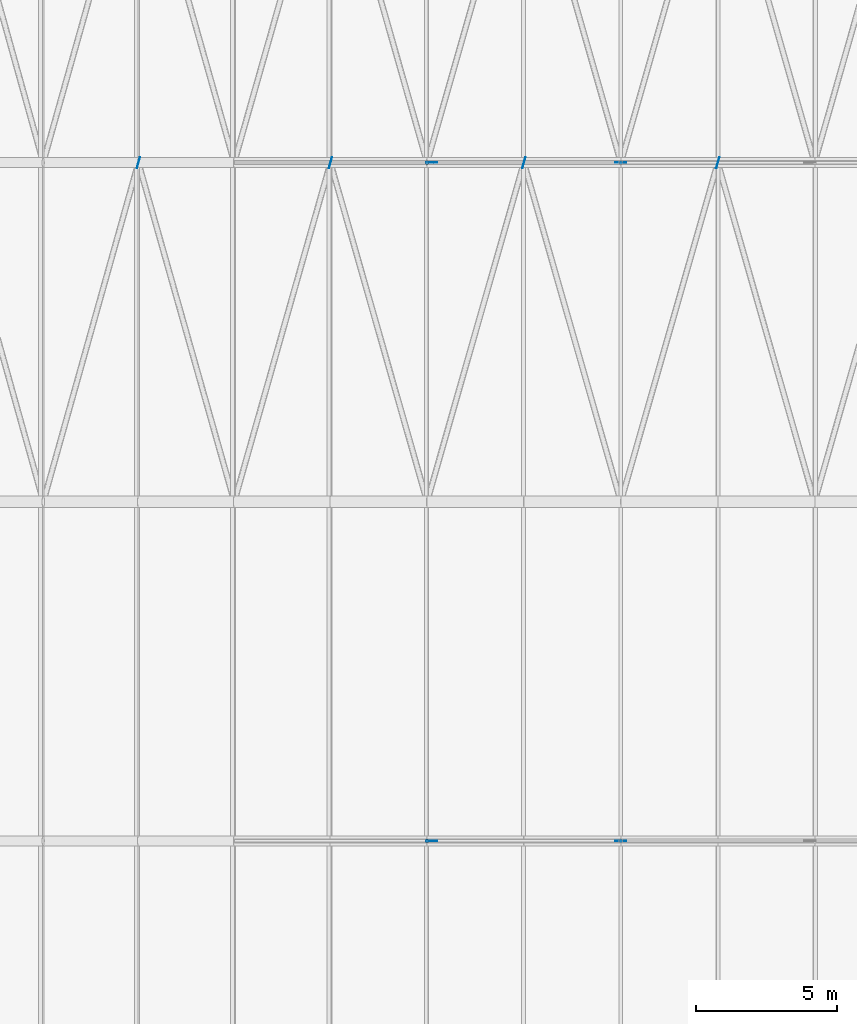
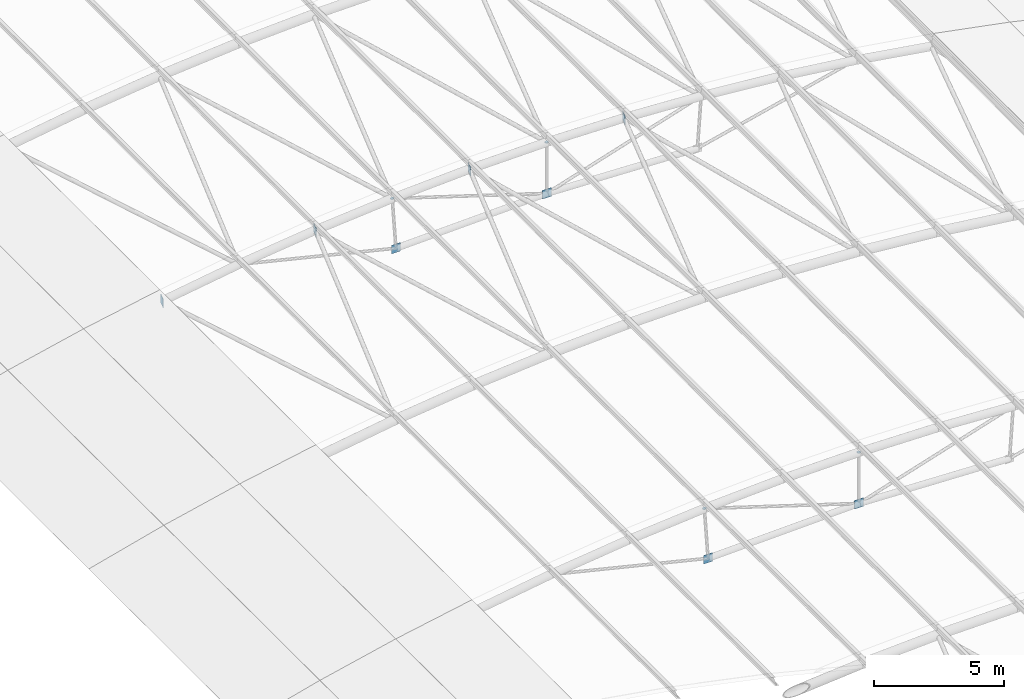
# One storey, part 68 of 91: 12 discrete accessories.
"""IFC4 building model written with IfcOpenShell, lengths in metres."""

from ifc_helpers import new_model, si_unit, direction, frame, origin, origin_2d, place, context, subcontext, project, spatial, rectangle, circle, extrude, material, material_profile, profile_set, type_object, element, save


model = new_model("IFC4")

# Units and contexts
model_context = context("Model", 3, precision=1e-05, world=origin(), true_north=direction((0.0, 1.0)))
body_context = subcontext(model_context, "Body", "Model", "MODEL_VIEW")
ifc_project = project(units=[si_unit("LENGTHUNIT", "METRE"), si_unit("AREAUNIT", "SQUARE_METRE"), si_unit("VOLUMEUNIT", "CUBIC_METRE"), si_unit("PLANEANGLEUNIT", "RADIAN"), si_unit("MASSUNIT", "GRAM", prefix="KILO")], contexts=[model_context])

# Site, building, storey
site_placement = place(None, origin())
site = spatial("IfcSite", under=ifc_project, at=site_placement, CompositionType="ELEMENT")
building_placement = place(site_placement, origin())
building = spatial("IfcBuilding", under=site, at=building_placement, Name="Ravi Spectrum Wholesale Market", CompositionType="ELEMENT")
storey_placement = place(building_placement, frame((0.0, 0.0, 16.199951171875)))
storey = spatial("IfcBuildingStorey", under=building, at=storey_placement, Name="ROOF PLANT LEVEL", CompositionType="ELEMENT", Elevation=16.199951171875)

# Discrete accessories
ifc_material_1 = material(Name="Steel S355", Category="steel")
ifc_material_profile_1 = material_profile(ifc_material_1, circle(Radius=0.06982421875, at=origin_2d()))
ifc_profile_set_1 = profile_set([ifc_material_profile_1], Name="Steel S355")
discrete_accessory_type_1 = type_object("IfcDiscreteAccessoryType", Name="End plate CHS 139.7x5", PredefinedType="BRACKET", material=ifc_profile_set_1)
for number, where, z_axis, x_axis, name in (
    (1, (63.142822265625, 90.0, 2.788818359375), (-0.081362009455, 0.0, 0.996684615823), (0.0, -1.0, 0.0), "End plate"),
    (2, (70.0, 90.0, 3.025390625), (0.0, 0.0, 1.0), (1.0, 0.0, 0.0), "End plate"),
    (3, (63.142822265625, 114.0, 2.788818359375), (-0.081362009455, 0.0, 0.996684615823), (0.0, -1.0, 0.0), "End plate"),
    (4, (70.0, 114.0, 3.025390625), (0.0, 0.0, 1.0), (1.0, 0.0, 0.0), "End plate"),
):
    element("IfcDiscreteAccessory", number, at=place(storey_placement, frame(where, z_axis=z_axis, x_axis=x_axis)), inside=storey, type_object=discrete_accessory_type_1, Name=name, PredefinedType="BRACKET", context=body_context, shape_type="SweptSolid", body=[
        extrude(circle(Radius=0.06982421875, at=origin_2d()), origin(), (0.0, 0.0, 1.0), 0.011962890625),
    ])
ifc_material_2 = material(Name="Steel S355", Category="steel")
ifc_material_profile_2 = material_profile(ifc_material_2, rectangle(XDim=0.39990234375, YDim=0.02001953125, at=origin_2d()))
ifc_profile_set_2 = profile_set([ifc_material_profile_2], Name="Steel S355")
discrete_accessory_type_2 = type_object("IfcDiscreteAccessoryType", Name="Gusset plate 400x400x20", PredefinedType="BRACKET", material=ifc_profile_set_2)
discrete_accessory_placement = place(storey_placement, frame((52.92822265625, 114.0, 1.349365234375), z_axis=(0.0, 0.0, 1.0), x_axis=(0.269956552127, 0.962872504522, 0.0)))
element("IfcDiscreteAccessory", 5, at=discrete_accessory_placement, inside=storey, type_object=discrete_accessory_type_2, Name="Gusset plate", PredefinedType="BRACKET", context=body_context, shape_type="SweptSolid", body=[
    extrude(rectangle(XDim=0.39990234375, YDim=0.02001953125, at=origin_2d()), origin(), (0.0, 0.0, 1.0), 0.400146484375),
])
for number, where, z_axis, x_axis, name in (
    (6, (59.724365234375, 114.0, 2.293212890625), (0.0, 0.0, 1.0), (0.272804059327, 0.962069615576, 0.0), "Gusset plate"),
    (7, (63.30810546875, 90.0, 0.194580078125), (0.0, 0.0, 1.0), (1.0, 0.0, 0.0), "Gusset plate"),
    (8, (63.30810546875, 114.0, 0.194580078125), (0.0, 0.0, 1.0), (1.0, 0.0, 0.0), "Gusset plate"),
    (9, (66.5693359375, 114.0, 2.766357421875), (0.0, 0.0, 1.0), (0.274445115423, 0.961602765502, 0.0), "Gusset plate"),
    (10, (70.0, 90.0, 0.425537109375), (0.0, 0.0, 1.0), (1.0, 0.0, 0.0), "Gusset plate"),
    (11, (70.0, 114.0, 0.425537109375), (0.0, 0.0, 1.0), (1.0, 0.0, 0.0), "Gusset plate"),
    (12, (73.4306640625, 114.0, 2.766357421875), (0.0, 0.0, 1.0), (0.274877393372, 0.961479286627, 0.0), "Gusset plate"),
):
    element("IfcDiscreteAccessory", number, at=place(storey_placement, frame(where, z_axis=z_axis, x_axis=x_axis)), inside=storey, type_object=discrete_accessory_type_2, Name=name, PredefinedType="BRACKET", context=body_context, shape_type="SweptSolid", body=[
        extrude(rectangle(XDim=0.39990234375, YDim=0.02001953125, at=origin_2d()), origin(), (0.0, 0.0, 1.0), 0.39990234375),
    ])

save(model, "model.ifc")
